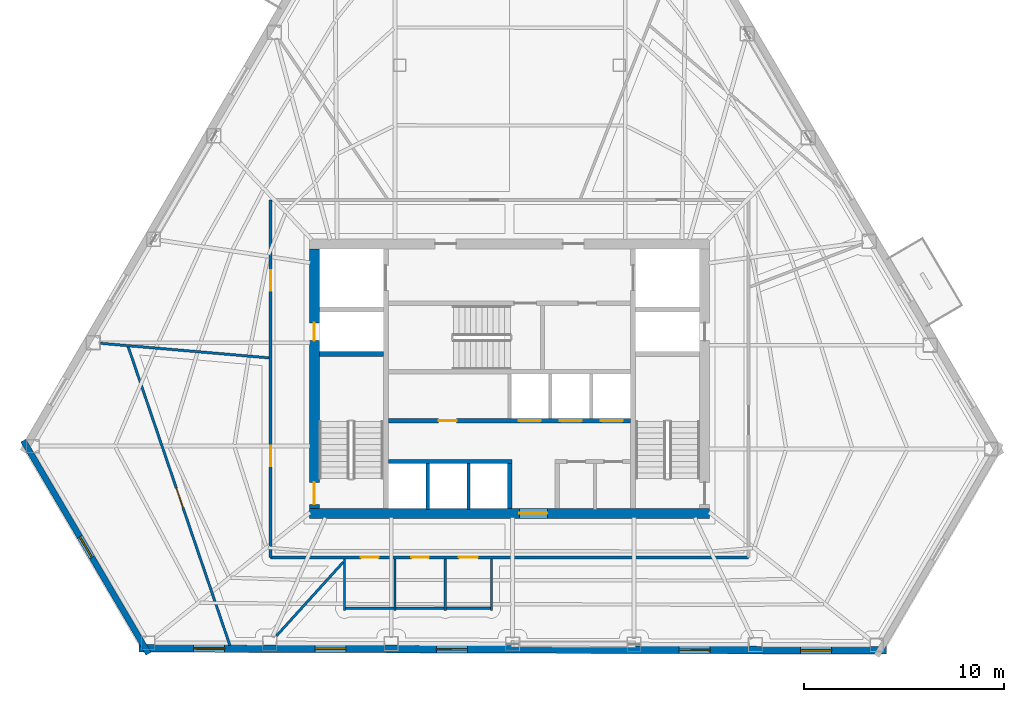
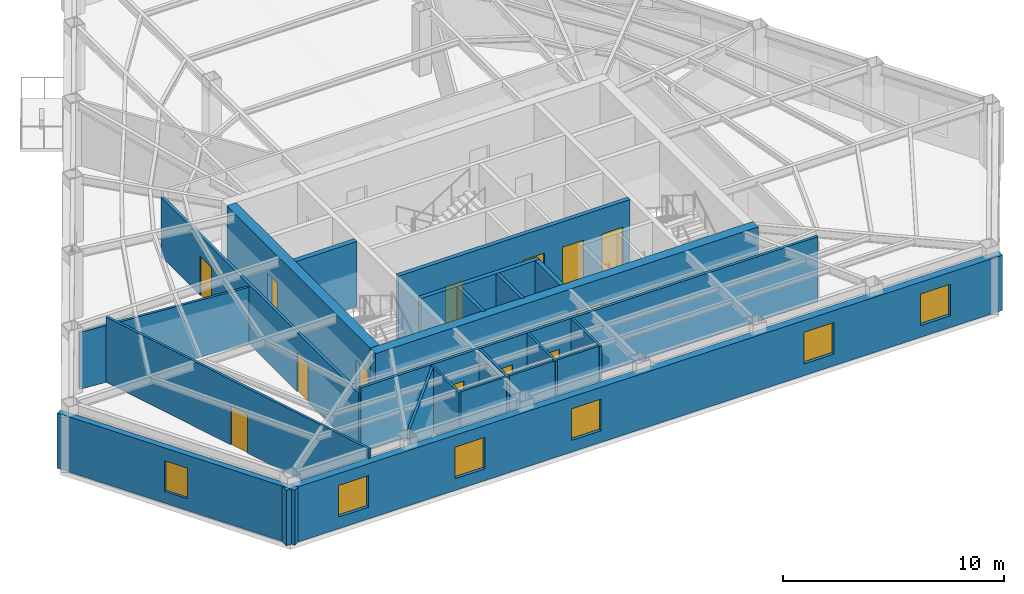
# One storey, part 5 of 11: 20 walls, 13 doors, 6 windows, 19 openings.
"""IFC4 building model written with IfcOpenShell, lengths in metres."""

from ifc_helpers import new_model, si_unit, direction, frame, frame_2d, origin, place, context, subcontext, project, spatial, rectangle, extrude, material, layer, layer_set, type_object, element, fill, save


model = new_model("IFC4")

# Units and contexts
model_context = context("Model", 3, precision=1e-05, world=origin(), true_north=direction((0.0, 1.0)))
body_context = subcontext(model_context, "Body", "Model", "MODEL_VIEW")
ifc_project = project(units=[si_unit("LENGTHUNIT", "METRE"), si_unit("AREAUNIT", "SQUARE_METRE"), si_unit("VOLUMEUNIT", "CUBIC_METRE"), si_unit("PLANEANGLEUNIT", "RADIAN"), si_unit("MASSUNIT", "GRAM", prefix="KILO")], contexts=[model_context])

# Site, building, storey
site_placement = place(None, origin())
site = spatial("IfcSite", under=ifc_project, at=site_placement, CompositionType="ELEMENT")
building_placement = place(site_placement, origin())
building = spatial("IfcBuilding", under=site, at=building_placement, Name="Kavelnor Concourse Tower", CompositionType="ELEMENT")
storey_placement = place(building_placement, frame((0.0, 0.0, 127.85009765625)))
storey = spatial("IfcBuildingStorey", under=building, at=storey_placement, Name="L32", CompositionType="ELEMENT", Elevation=127.85009765625)

# Wall, opening, door
ifc_material_1 = material(Name="Concrete C60/75", Category="concrete")
ifc_layer_1 = layer(ifc_material_1, 0.5, Name="Concrete C60/75")
ifc_layer_set_1 = layer_set([ifc_layer_1], Name="Concrete C60/75")
wall_type_1 = type_object("IfcWallType", Name="WL-CORE-Z2-500", PredefinedType="SOLIDWALL", material=ifc_layer_set_1)
wall_1_placement = place(storey_placement, frame((27.97998046875, 9.35009765625, 0.0), z_axis=(0.0, 0.0, 1.0), x_axis=(1.0, 0.0, 0.0)))
wall_1 = element("IfcWall", 1, at=wall_1_placement, inside=storey, type_object=wall_type_1, Name="L32 Central Core South Shear Wall", PredefinedType="SOLIDWALL", context=body_context, shape_type="SweptSolid", body=[
    extrude(rectangle(XDim=20.0400390625, YDim=0.5, at=frame_2d((10.02001953125, 0.0))), origin(), (0.0, 0.0, 1.0), 3.599853515625),
])
opening_1_placement = place(wall_1_placement, frame((10.52001953125, 0.0, 0.0)))
opening_1 = element("IfcOpeningElement", 2, at=opening_1_placement, cuts=wall_1, Name="Opening SD-140", PredefinedType="OPENING", context=body_context, shape_type="SweptSolid", body=[
    extrude(rectangle(XDim=1.39990234375, YDim=2.199951171875, at=frame_2d((0.699951171875, 1.10009765625))), frame((0.0, 0.260009765625, 0.0), z_axis=(0.0, -1.0, 0.0), x_axis=(1.0, 0.0, 0.0)), (0.0, 0.0, 1.0), 0.52001953125),
])
ifc_material_2 = material(Name="Solid-core hardwood timber", Category="wood")
door_type_1 = type_object("IfcDoorType", Name="DR-SUITE-ENTRY-1400", OperationType="NOTDEFINED", PredefinedType="DOOR", material=ifc_material_2)
door_1_placement = place(opening_1_placement, origin())
door_1 = element("IfcDoor", 3, at=door_1_placement, inside=storey, type_object=door_type_1, Name="L32 Passenger Lift Lobby Entry Door", OperationType="SINGLE_SWING_LEFT", OverallHeight=2.199951171875, OverallWidth=1.39990234375, PredefinedType="DOOR", context=body_context, shape_type="SweptSolid", body=[
    extrude(rectangle(XDim=1.39990234375, YDim=2.199951171875, at=frame_2d((0.699951171875, 1.10009765625))), frame((0.0, 0.02490234375, 0.0), z_axis=(0.0, -1.0, 0.0), x_axis=(1.0, 0.0, 0.0)), (0.0, 0.0, 1.0), 0.050048828125),
])
fill(opening_1, door_1)

# Wall, openings, doors
wall_2_placement = place(storey_placement, frame((28.22998046875, 9.60009765625, 0.0), z_axis=(0.0, 0.0, 1.0), x_axis=(0.0, 1.0, 0.0)))
wall_2 = element("IfcWall", 4, at=wall_2_placement, inside=storey, type_object=wall_type_1, Name="L32 Central Core West Shear Wall", PredefinedType="SOLIDWALL", context=body_context, shape_type="SweptSolid", body=[
    extrude(rectangle(XDim=13.0, YDim=0.5, at=frame_2d((6.5, 0.0))), origin(), (0.0, 0.0, 1.0), 3.599853515625),
])
opening_2_placement = place(wall_2_placement, frame((0.199951171875, 0.0, 0.0)))
opening_2 = element("IfcOpeningElement", 5, at=opening_2_placement, cuts=wall_2, Name="Opening FD-110", PredefinedType="OPENING", context=body_context, shape_type="SweptSolid", body=[
    extrude(rectangle(XDim=1.10009765625, YDim=2.14990234375, at=frame_2d((0.550048828125, 1.074951171875))), frame((0.0, 0.260009765625, 0.0), z_axis=(0.0, -1.0, 0.0), x_axis=(1.0, 0.0, 0.0)), (0.0, 0.0, 1.0), 0.52001953125),
])
opening_3_placement = place(wall_2_placement, frame((8.39990234375, 0.0, 0.0)))
opening_3 = element("IfcOpeningElement", 6, at=opening_3_placement, cuts=wall_2, Name="Opening FD-090", PredefinedType="OPENING", context=body_context, shape_type="SweptSolid", body=[
    extrude(rectangle(XDim=0.89990234375, YDim=2.10009765625, at=frame_2d((0.449951171875, 1.050048828125))), frame((0.0, 0.260009765625, 0.0), z_axis=(0.0, -1.0, 0.0), x_axis=(1.0, 0.0, 0.0)), (0.0, 0.0, 1.0), 0.52001953125),
])
ifc_material_3 = material(Name="Steel Grade 350", Category="steel")
door_type_2 = type_object("IfcDoorType", Name="DR-RISER-FIRE-900", OperationType="NOTDEFINED", PredefinedType="DOOR", material=ifc_material_3)
door_2_placement = place(opening_3_placement, origin())
door_2 = element("IfcDoor", 7, at=door_2_placement, inside=storey, type_object=door_type_2, Name="L32 West Riser Access Door", OperationType="SINGLE_SWING_RIGHT", OverallHeight=2.10009765625, OverallWidth=0.89990234375, PredefinedType="DOOR", context=body_context, shape_type="SweptSolid", body=[
    extrude(rectangle(XDim=0.89990234375, YDim=2.10009765625, at=frame_2d((0.449951171875, 1.050048828125))), frame((0.0, 0.02490234375, 0.0), z_axis=(0.0, -1.0, 0.0), x_axis=(1.0, 0.0, 0.0)), (0.0, 0.0, 1.0), 0.050048828125),
])
fill(opening_3, door_2)
door_type_3 = type_object("IfcDoorType", Name="DR-STAIR-FIRE-1100", OperationType="NOTDEFINED", PredefinedType="DOOR", material=ifc_material_3)
door_3_placement = place(opening_2_placement, origin())
door_3 = element("IfcDoor", 8, at=door_3_placement, inside=storey, type_object=door_type_3, Name="L32 Stair ST1 Fire Door", OperationType="SINGLE_SWING_LEFT", OverallHeight=2.14990234375, OverallWidth=1.10009765625, PredefinedType="DOOR", context=body_context, shape_type="SweptSolid", body=[
    extrude(rectangle(XDim=1.10009765625, YDim=2.14990234375, at=frame_2d((0.550048828125, 1.074951171875))), frame((0.0, 0.02490234375, 0.0), z_axis=(0.0, -1.0, 0.0), x_axis=(1.0, 0.0, 0.0)), (0.0, 0.0, 1.0), 0.050048828125),
])
fill(opening_2, door_3)

# Wall, opening, window
ifc_material_4 = material(Name="Buff ironspot clay face brick masonry", Category="masonry")
ifc_layer_2 = layer(ifc_material_4, 0.300048828125, Name="Buff ironspot clay face brick masonry")
ifc_layer_set_2 = layer_set([ifc_layer_2], Name="Buff ironspot clay face brick masonry")
wall_type_2 = type_object("IfcWallType", Name="WL-EXT-BUFF-BRICK-FOLD-300", PredefinedType="STANDARD", material=ifc_layer_set_2)
wall_3_placement = place(storey_placement, frame((19.9208984375, 2.322265625, 0.0), z_axis=(0.0, 0.0, 1.0), x_axis=(-0.506600522331, 0.86218090374, 0.0)))
wall_3 = element("IfcWall", 9, at=wall_3_placement, inside=storey, type_object=wall_type_2, Name="L32 Exterior Brick Facade Wall E2", PredefinedType="STANDARD", context=body_context, shape_type="SweptSolid", body=[
    extrude(rectangle(XDim=12.384765625, YDim=0.300048828125, at=frame_2d((6.1923828125, 0.0))), origin(), (0.0, 0.0, 1.0), 3.058837890625),
])
opening_4_placement = place(wall_3_placement, frame((5.59228515625, 0.0, 0.64990234375)))
opening_4 = element("IfcOpeningElement", 10, at=opening_4_placement, cuts=wall_3, Name="Opening W-05", PredefinedType="OPENING", context=body_context, shape_type="SweptSolid", body=[
    extrude(rectangle(XDim=1.199951171875, YDim=1.699951171875, at=frame_2d((0.60009765625, 0.85009765625))), frame((0.0, 0.16015625, 0.0), z_axis=(0.0, -1.0, 0.0), x_axis=(1.0, 0.0, 0.0)), (0.0, 0.0, 1.0), 0.320068359375),
])
ifc_material_5 = material(Name="Double low-E argon insulated glazing", Category="glass")
window_type_1 = type_object("IfcWindowType", Name="WIN-FOLD-1200", PartitioningType="SINGLE_PANEL", PredefinedType="WINDOW", material=ifc_material_5)
window_1_placement = place(opening_4_placement, origin())
window_1 = element("IfcWindow", 11, at=window_1_placement, inside=storey, type_object=window_type_1, Name="L32 Chamfer-Fold Facet Window C1", OverallHeight=1.699951171875, OverallWidth=1.199951171875, PartitioningType="SINGLE_PANEL", PredefinedType="WINDOW", context=body_context, shape_type="SweptSolid", body=[
    extrude(rectangle(XDim=1.199951171875, YDim=1.699951171875, at=frame_2d((0.60009765625, 0.85009765625))), frame((0.0, 0.030029296875, 0.0), z_axis=(0.0, -1.0, 0.0), x_axis=(1.0, 0.0, 0.0)), (0.0, 0.0, 1.0), 0.06005859375),
])
fill(opening_4, window_1)

# Wall, openings, windows
ifc_material_6 = material(Name="Red-ochre clay face brick masonry", Category="masonry")
ifc_layer_3 = layer(ifc_material_6, 0.3798828125, Name="Red-ochre clay face brick masonry")
ifc_layer_set_3 = layer_set([ifc_layer_3], Name="Red-ochre clay face brick masonry")
wall_type_3 = type_object("IfcWallType", Name="WL-EXT-RED-BRICK-PIER-380", PredefinedType="STANDARD", material=ifc_layer_set_3)
wall_4_placement = place(storey_placement, frame((56.87158203125, 2.489501953125, 0.0), z_axis=(0.0, 0.0, 1.0), x_axis=(-0.999995712094, 0.002928445665, 0.0)))
wall_4 = element("IfcWall", 12, at=wall_4_placement, inside=storey, type_object=wall_type_3, Name="L32 Exterior Brick Facade Wall E3", PredefinedType="STANDARD", context=body_context, shape_type="SweptSolid", body=[
    extrude(rectangle(XDim=37.4326171875, YDim=0.3798828125, at=frame_2d((18.71630859375, 0.0))), origin(), (0.0, 0.0, 1.0), 3.058837890625),
])
opening_5_placement = place(wall_4_placement, frame((33.143798828125, 0.0, 0.64990234375)))
opening_5 = element("IfcOpeningElement", 13, at=opening_5_placement, cuts=wall_4, Name="Opening W-02", PredefinedType="OPENING", context=body_context, shape_type="SweptSolid", body=[
    extrude(rectangle(XDim=1.550048828125, YDim=1.75, at=frame_2d((0.77490234375, 0.875))), frame((0.0, 0.199951171875, 0.0), z_axis=(0.0, -1.0, 0.0), x_axis=(1.0, 0.0, 0.0)), (0.0, 0.0, 1.0), 0.39990234375),
])
opening_6_placement = place(wall_4_placement, frame((27.063232421875, 0.0, 0.64990234375)))
opening_6 = element("IfcOpeningElement", 14, at=opening_6_placement, cuts=wall_4, Name="Opening W-02", PredefinedType="OPENING", context=body_context, shape_type="SweptSolid", body=[
    extrude(rectangle(XDim=1.550048828125, YDim=1.75, at=frame_2d((0.77490234375, 0.875))), frame((0.0, 0.199951171875, 0.0), z_axis=(0.0, -1.0, 0.0), x_axis=(1.0, 0.0, 0.0)), (0.0, 0.0, 1.0), 0.39990234375),
])
opening_7_placement = place(wall_4_placement, frame((20.98291015625, 0.0, 0.64990234375)))
opening_7 = element("IfcOpeningElement", 15, at=opening_7_placement, cuts=wall_4, Name="Opening W-02", PredefinedType="OPENING", context=body_context, shape_type="SweptSolid", body=[
    extrude(rectangle(XDim=1.550048828125, YDim=1.75, at=frame_2d((0.77490234375, 0.875))), frame((0.0, 0.199951171875, 0.0), z_axis=(0.0, -1.0, 0.0), x_axis=(1.0, 0.0, 0.0)), (0.0, 0.0, 1.0), 0.39990234375),
])
opening_8_placement = place(wall_4_placement, frame((8.822265625, 0.0, 0.64990234375)))
opening_8 = element("IfcOpeningElement", 16, at=opening_8_placement, cuts=wall_4, Name="Opening W-02", PredefinedType="OPENING", context=body_context, shape_type="SweptSolid", body=[
    extrude(rectangle(XDim=1.550048828125, YDim=1.75, at=frame_2d((0.77490234375, 0.875))), frame((0.0, 0.199951171875, 0.0), z_axis=(0.0, -1.0, 0.0), x_axis=(1.0, 0.0, 0.0)), (0.0, 0.0, 1.0), 0.39990234375),
])
opening_9_placement = place(wall_4_placement, frame((2.74169921875, 0.0, 0.64990234375)))
opening_9 = element("IfcOpeningElement", 17, at=opening_9_placement, cuts=wall_4, Name="Opening W-02", PredefinedType="OPENING", context=body_context, shape_type="SweptSolid", body=[
    extrude(rectangle(XDim=1.550048828125, YDim=1.75, at=frame_2d((0.77490234375, 0.875))), frame((0.0, 0.199951171875, 0.0), z_axis=(0.0, -1.0, 0.0), x_axis=(1.0, 0.0, 0.0)), (0.0, 0.0, 1.0), 0.39990234375),
])
window_type_2 = type_object("IfcWindowType", Name="WIN-PIER-Z2-1650", PartitioningType="SINGLE_PANEL", PredefinedType="WINDOW", material=ifc_material_5)
window_2_placement = place(opening_5_placement, origin())
window_2 = element("IfcWindow", 18, at=window_2_placement, inside=storey, type_object=window_type_2, Name="L32 Deep-Set Brick Pier Window F1-B0", OverallHeight=1.75, OverallWidth=1.550048828125, PartitioningType="SINGLE_PANEL", PredefinedType="WINDOW", context=body_context, shape_type="SweptSolid", body=[
    extrude(rectangle(XDim=1.550048828125, YDim=1.75, at=frame_2d((0.77490234375, 0.875))), frame((0.0, 0.030029296875, 0.0), z_axis=(0.0, -1.0, 0.0), x_axis=(1.0, 0.0, 0.0)), (0.0, 0.0, 1.0), 0.06005859375),
])
fill(opening_5, window_2)
window_3_placement = place(opening_6_placement, origin())
window_3 = element("IfcWindow", 19, at=window_3_placement, inside=storey, type_object=window_type_2, Name="L32 Deep-Set Brick Pier Window F1-B1", OverallHeight=1.75, OverallWidth=1.550048828125, PartitioningType="SINGLE_PANEL", PredefinedType="WINDOW", context=body_context, shape_type="SweptSolid", body=[
    extrude(rectangle(XDim=1.550048828125, YDim=1.75, at=frame_2d((0.77490234375, 0.875))), frame((0.0, 0.030029296875, 0.0), z_axis=(0.0, -1.0, 0.0), x_axis=(1.0, 0.0, 0.0)), (0.0, 0.0, 1.0), 0.06005859375),
])
fill(opening_6, window_3)
window_4_placement = place(opening_7_placement, origin())
window_4 = element("IfcWindow", 20, at=window_4_placement, inside=storey, type_object=window_type_2, Name="L32 Deep-Set Brick Pier Window F1-B2", OverallHeight=1.75, OverallWidth=1.550048828125, PartitioningType="SINGLE_PANEL", PredefinedType="WINDOW", context=body_context, shape_type="SweptSolid", body=[
    extrude(rectangle(XDim=1.550048828125, YDim=1.75, at=frame_2d((0.77490234375, 0.875))), frame((0.0, 0.030029296875, 0.0), z_axis=(0.0, -1.0, 0.0), x_axis=(1.0, 0.0, 0.0)), (0.0, 0.0, 1.0), 0.06005859375),
])
fill(opening_7, window_4)
window_5_placement = place(opening_8_placement, origin())
window_5 = element("IfcWindow", 21, at=window_5_placement, inside=storey, type_object=window_type_2, Name="L32 Deep-Set Brick Pier Window F1-B4", OverallHeight=1.75, OverallWidth=1.550048828125, PartitioningType="SINGLE_PANEL", PredefinedType="WINDOW", context=body_context, shape_type="SweptSolid", body=[
    extrude(rectangle(XDim=1.550048828125, YDim=1.75, at=frame_2d((0.77490234375, 0.875))), frame((0.0, 0.030029296875, 0.0), z_axis=(0.0, -1.0, 0.0), x_axis=(1.0, 0.0, 0.0)), (0.0, 0.0, 1.0), 0.06005859375),
])
fill(opening_8, window_5)
window_6_placement = place(opening_9_placement, origin())
window_6 = element("IfcWindow", 22, at=window_6_placement, inside=storey, type_object=window_type_2, Name="L32 Deep-Set Brick Pier Window F1-B5", OverallHeight=1.75, OverallWidth=1.550048828125, PartitioningType="SINGLE_PANEL", PredefinedType="WINDOW", context=body_context, shape_type="SweptSolid", body=[
    extrude(rectangle(XDim=1.550048828125, YDim=1.75, at=frame_2d((0.77490234375, 0.875))), frame((0.0, 0.030029296875, 0.0), z_axis=(0.0, -1.0, 0.0), x_axis=(1.0, 0.0, 0.0)), (0.0, 0.0, 1.0), 0.06005859375),
])
fill(opening_9, window_6)

# Wall, openings, doors
ifc_material_7 = material(Name="Gypsum plasterboard on light-gauge steel studs", Category="steel")
ifc_layer_4 = layer(ifc_material_7, 0.14501953125, Name="Gypsum plasterboard on light-gauge steel studs")
ifc_layer_set_4 = layer_set([ifc_layer_4], Name="Gypsum plasterboard on light-gauge steel studs")
wall_type_4 = type_object("IfcWallType", Name="WL-INT-CORR-145", PredefinedType="PARTITIONING", material=ifc_layer_set_4)
wall_5_placement = place(storey_placement, frame((26.030029296875, 25.050048828125, 0.0), z_axis=(0.0, 0.0, 1.0), x_axis=(0.0, -1.0, 0.0)))
wall_5 = element("IfcWall", 23, at=wall_5_placement, inside=storey, type_object=wall_type_4, Name="L32 Corridor Wall WL-L32-CR-03", PredefinedType="PARTITIONING", context=body_context, shape_type="SweptSolid", body=[
    extrude(rectangle(XDim=17.900146484375, YDim=0.14501953125, at=frame_2d((8.9501953125, 0.0))), origin(), (0.0, 0.0, 1.0), 3.287841796875),
])
opening_10_placement = place(wall_5_placement, frame((3.529541015625, 0.0, 0.0)))
opening_10 = element("IfcOpeningElement", 24, at=opening_10_placement, cuts=wall_5, Name="Opening MD-102", PredefinedType="OPENING", context=body_context, shape_type="SweptSolid", body=[
    extrude(rectangle(XDim=1.02001953125, YDim=2.14990234375, at=frame_2d((0.510009765625, 1.074951171875))), frame((0.0, 0.08251953125, 0.0), z_axis=(0.0, -1.0, 0.0), x_axis=(1.0, 0.0, 0.0)), (0.0, 0.0, 1.0), 0.1650390625),
])
opening_11_placement = place(wall_5_placement, frame((12.30859375, 0.0, 0.0)))
opening_11 = element("IfcOpeningElement", 25, at=opening_11_placement, cuts=wall_5, Name="Opening MD-102", PredefinedType="OPENING", context=body_context, shape_type="SweptSolid", body=[
    extrude(rectangle(XDim=1.02001953125, YDim=2.14990234375, at=frame_2d((0.510009765625, 1.074951171875))), frame((0.0, 0.08251953125, 0.0), z_axis=(0.0, -1.0, 0.0), x_axis=(1.0, 0.0, 0.0)), (0.0, 0.0, 1.0), 0.1650390625),
])
ifc_material_8 = material(Name="Acoustic glazed timber frame", Category="wood")
door_type_4 = type_object("IfcDoorType", Name="DR-MEETING-1020", OperationType="NOTDEFINED", PredefinedType="DOOR", material=ifc_material_8)
door_4_placement = place(opening_10_placement, origin())
door_4 = element("IfcDoor", 26, at=door_4_placement, inside=storey, type_object=door_type_4, Name="L32 Client Boardroom 04 Door", OperationType="SINGLE_SWING_LEFT", OverallHeight=2.14990234375, OverallWidth=1.02001953125, PredefinedType="DOOR", context=body_context, shape_type="SweptSolid", body=[
    extrude(rectangle(XDim=1.02001953125, YDim=2.14990234375, at=frame_2d((0.510009765625, 1.074951171875))), frame((0.0, 0.02490234375, 0.0), z_axis=(0.0, -1.0, 0.0), x_axis=(1.0, 0.0, 0.0)), (0.0, 0.0, 1.0), 0.050048828125),
])
fill(opening_10, door_4)
door_5_placement = place(opening_11_placement, origin())
door_5 = element("IfcDoor", 27, at=door_5_placement, inside=storey, type_object=door_type_4, Name="L32 Client Boardroom 05 Door", OperationType="SINGLE_SWING_RIGHT", OverallHeight=2.14990234375, OverallWidth=1.02001953125, PredefinedType="DOOR", context=body_context, shape_type="SweptSolid", body=[
    extrude(rectangle(XDim=1.02001953125, YDim=2.14990234375, at=frame_2d((0.510009765625, 1.074951171875))), frame((0.0, 0.02490234375, 0.0), z_axis=(0.0, -1.0, 0.0), x_axis=(1.0, 0.0, 0.0)), (0.0, 0.0, 1.0), 0.050048828125),
])
fill(opening_11, door_5)

wall_6_placement = place(storey_placement, frame((26.030029296875, 7.14990234375, 0.0), z_axis=(0.0, 0.0, 1.0), x_axis=(1.0, 0.0, 0.0)))
wall_6 = element("IfcWall", 28, at=wall_6_placement, inside=storey, type_object=wall_type_4, Name="L32 Corridor Wall WL-L32-CR-04", PredefinedType="PARTITIONING", context=body_context, shape_type="SweptSolid", body=[
    extrude(rectangle(XDim=23.93994140625, YDim=0.14501953125, at=frame_2d((11.969970703125, 0.0))), origin(), (0.0, 0.0, 1.0), 3.599853515625),
])
opening_12_placement = place(wall_6_placement, frame((4.530029296875, 0.0, 0.0)))
opening_12 = element("IfcOpeningElement", 29, at=opening_12_placement, cuts=wall_6, Name="Opening WD-088", PredefinedType="OPENING", context=body_context, shape_type="SweptSolid", body=[
    extrude(rectangle(XDim=0.8798828125, YDim=2.10009765625, at=frame_2d((0.43994140625, 1.050048828125))), frame((0.0, 0.08251953125, 0.0), z_axis=(0.0, -1.0, 0.0), x_axis=(1.0, 0.0, 0.0)), (0.0, 0.0, 1.0), 0.1650390625),
])
opening_13_placement = place(wall_6_placement, frame((7.050048828125, 0.0, 0.0)))
opening_13 = element("IfcOpeningElement", 30, at=opening_13_placement, cuts=wall_6, Name="Opening WD-088", PredefinedType="OPENING", context=body_context, shape_type="SweptSolid", body=[
    extrude(rectangle(XDim=0.8798828125, YDim=2.10009765625, at=frame_2d((0.43994140625, 1.050048828125))), frame((0.0, 0.08251953125, 0.0), z_axis=(0.0, -1.0, 0.0), x_axis=(1.0, 0.0, 0.0)), (0.0, 0.0, 1.0), 0.1650390625),
])
opening_14_placement = place(wall_6_placement, frame((9.429931640625, 0.0, 0.0)))
opening_14 = element("IfcOpeningElement", 31, at=opening_14_placement, cuts=wall_6, Name="Opening WD-096", PredefinedType="OPENING", context=body_context, shape_type="SweptSolid", body=[
    extrude(rectangle(XDim=0.9599609375, YDim=2.10009765625, at=frame_2d((0.47998046875, 1.050048828125))), frame((0.0, 0.08251953125, 0.0), z_axis=(0.0, -1.0, 0.0), x_axis=(1.0, 0.0, 0.0)), (0.0, 0.0, 1.0), 0.1650390625),
])
door_type_5 = type_object("IfcDoorType", Name="DR-WC-ACC-960", OperationType="NOTDEFINED", PredefinedType="DOOR", material=ifc_material_2)
door_6_placement = place(opening_14_placement, origin())
door_6 = element("IfcDoor", 32, at=door_6_placement, inside=storey, type_object=door_type_5, Name="L32 Accessible WC Door", OperationType="SINGLE_SWING_LEFT", OverallHeight=2.10009765625, OverallWidth=0.9599609375, PredefinedType="DOOR", context=body_context, shape_type="SweptSolid", body=[
    extrude(rectangle(XDim=0.9599609375, YDim=2.10009765625, at=frame_2d((0.47998046875, 1.050048828125))), frame((0.0, 0.02490234375, 0.0), z_axis=(0.0, -1.0, 0.0), x_axis=(1.0, 0.0, 0.0)), (0.0, 0.0, 1.0), 0.050048828125),
])
fill(opening_14, door_6)
door_type_6 = type_object("IfcDoorType", Name="DR-WC-STD-880", OperationType="NOTDEFINED", PredefinedType="DOOR", material=ifc_material_2)
door_7_placement = place(opening_12_placement, origin())
door_7 = element("IfcDoor", 33, at=door_7_placement, inside=storey, type_object=door_type_6, Name="L32 Male WC Door", OperationType="SINGLE_SWING_LEFT", OverallHeight=2.10009765625, OverallWidth=0.8798828125, PredefinedType="DOOR", context=body_context, shape_type="SweptSolid", body=[
    extrude(rectangle(XDim=0.8798828125, YDim=2.10009765625, at=frame_2d((0.43994140625, 1.050048828125))), frame((0.0, 0.02490234375, 0.0), z_axis=(0.0, -1.0, 0.0), x_axis=(1.0, 0.0, 0.0)), (0.0, 0.0, 1.0), 0.050048828125),
])
fill(opening_12, door_7)
door_8_placement = place(opening_13_placement, origin())
door_8 = element("IfcDoor", 34, at=door_8_placement, inside=storey, type_object=door_type_6, Name="L32 Female WC Door", OperationType="SINGLE_SWING_RIGHT", OverallHeight=2.10009765625, OverallWidth=0.8798828125, PredefinedType="DOOR", context=body_context, shape_type="SweptSolid", body=[
    extrude(rectangle(XDim=0.8798828125, YDim=2.10009765625, at=frame_2d((0.43994140625, 1.050048828125))), frame((0.0, 0.02490234375, 0.0), z_axis=(0.0, -1.0, 0.0), x_axis=(1.0, 0.0, 0.0)), (0.0, 0.0, 1.0), 0.050048828125),
])
fill(opening_13, door_8)

# Walls
ifc_layer_5 = layer(ifc_material_7, 0.1650390625, Name="Gypsum plasterboard on light-gauge steel studs")
ifc_layer_set_5 = layer_set([ifc_layer_5], Name="Gypsum plasterboard on light-gauge steel studs")
wall_type_5 = type_object("IfcWallType", Name="WL-INT-FIRE-165", PredefinedType="PARTITIONING", material=ifc_layer_set_5)
for number, where, z_axis, x_axis, name in (
    (35, (33.89990234375, 9.550048828125, 0.0), (0.0, 0.0, 1.0), (0.0, 1.0, 0.0), "L32 Lift Shaft Divider LP7"),
    (36, (35.949951171875, 9.550048828125, 0.0), (0.0, 0.0, 1.0), (0.0, 1.0, 0.0), "L32 Lift Shaft Divider LP8"),
):
    element("IfcWall", number, at=place(storey_placement, frame(where, z_axis=z_axis, x_axis=x_axis)), inside=storey, type_object=wall_type_5, Name=name, PredefinedType="PARTITIONING", context=body_context, shape_type="SweptSolid", body=[
        extrude(rectangle(XDim=2.2900390625, YDim=0.1650390625, at=frame_2d((1.14501953125, 0.0))), origin(), (0.0, 0.0, 1.0), 3.599853515625),
    ])
ifc_layer_6 = layer(ifc_material_7, 0.125, Name="Gypsum plasterboard on light-gauge steel studs")
ifc_layer_set_6 = layer_set([ifc_layer_6], Name="Gypsum plasterboard on light-gauge steel studs")
wall_type_6 = type_object("IfcWallType", Name="WL-INT-SUITE-125", PredefinedType="PARTITIONING", material=ifc_layer_set_6)
wall_7_placement = place(storey_placement, frame((25.949462890625, 17.141845703125, 0.0), z_axis=(0.0, 0.0, 1.0), x_axis=(-0.996283209421, 0.086138067226, 0.0)))
element("IfcWall", 37, at=wall_7_placement, inside=storey, type_object=wall_type_6, Name="L32 Radial Suite Partition 04", PredefinedType="PARTITIONING", context=body_context, shape_type="SweptSolid", body=[
    extrude(rectangle(XDim=8.466064453125, YDim=0.125, at=frame_2d((4.23291015625, 0.0))), origin(), (0.0, 0.0, 1.0), 3.140869140625),
])
wall_8_placement = place(storey_placement, frame((29.677001953125, 6.91455078125, 0.0), z_axis=(0.0, 0.0, 1.0), x_axis=(-0.671453924144, -0.741046306078, 0.0)))
element("IfcWall", 38, at=wall_8_placement, inside=storey, type_object=wall_type_6, Name="L32 Radial Suite Partition 05", PredefinedType="PARTITIONING", context=body_context, shape_type="SweptSolid", body=[
    extrude(rectangle(XDim=4.988525390625, YDim=0.125, at=frame_2d((2.494140625, 0.0))), origin(), (0.0, 0.0, 1.0), 3.599853515625),
])

# Wall, opening, door
wall_9_placement = place(storey_placement, frame((18.888671875, 17.7373046875, 0.0), z_axis=(0.0, 0.0, 1.0), x_axis=(0.322427692705, -0.946594096209, 0.0)))
wall_9 = element("IfcWall", 39, at=wall_9_placement, inside=storey, type_object=wall_type_6, Name="L32 Suite Subdivision Partition 04", PredefinedType="PARTITIONING", context=body_context, shape_type="SweptSolid", body=[
    extrude(rectangle(XDim=15.84814453125, YDim=0.125, at=frame_2d((7.924072265625, 0.0))), origin(), (0.0, 0.0, 1.0), 3.599853515625),
])
opening_15_placement = place(wall_9_placement, frame((7.527587890625, 0.0, 0.0)))
opening_15 = element("IfcOpeningElement", 40, at=opening_15_placement, cuts=wall_9, Name="Opening MD-102", PredefinedType="OPENING", context=body_context, shape_type="SweptSolid", body=[
    extrude(rectangle(XDim=1.02001953125, YDim=2.14990234375, at=frame_2d((0.510009765625, 1.074951171875))), frame((0.0, 0.072509765625, 0.0), z_axis=(0.0, -1.0, 0.0), x_axis=(1.0, 0.0, 0.0)), (0.0, 0.0, 1.0), 0.14501953125),
])
door_9_placement = place(opening_15_placement, origin())
door_9 = element("IfcDoor", 41, at=door_9_placement, inside=storey, type_object=door_type_4, Name="L32 Client Boardroom 06 Door", OperationType="SINGLE_SWING_LEFT", OverallHeight=2.14990234375, OverallWidth=1.02001953125, PredefinedType="DOOR", context=body_context, shape_type="SweptSolid", body=[
    extrude(rectangle(XDim=1.02001953125, YDim=2.14990234375, at=frame_2d((0.510009765625, 1.074951171875))), frame((0.0, 0.02490234375, 0.0), z_axis=(0.0, -1.0, 0.0), x_axis=(1.0, 0.0, 0.0)), (0.0, 0.0, 1.0), 0.050048828125),
])
fill(opening_15, door_9)

# Walls
ifc_layer_7 = layer(ifc_material_7, 0.110107421875, Name="Gypsum plasterboard on light-gauge steel studs")
ifc_layer_set_7 = layer_set([ifc_layer_7], Name="Gypsum plasterboard on light-gauge steel studs")
wall_type_7 = type_object("IfcWallType", Name="WL-INT-WC-110", PredefinedType="PLUMBINGWALL", material=ifc_layer_set_7)
for number, where, z_axis, x_axis, name in (
    (42, (29.739990234375, 4.5, 0.0), (0.0, 0.0, 1.0), (0.0, 1.0, 0.0), "L32 Sanitary Partition WL-L32-WC-W"),
    (43, (32.260009765625, 4.5, 0.0), (0.0, 0.0, 1.0), (0.0, 1.0, 0.0), "L32 Sanitary Partition WL-L32-WC-D1"),
    (44, (34.780029296875, 4.5, 0.0), (0.0, 0.0, 1.0), (0.0, 1.0, 0.0), "L32 Sanitary Partition WL-L32-WC-D2"),
    (45, (37.10009765625, 4.5, 0.0), (0.0, 0.0, 1.0), (0.0, 1.0, 0.0), "L32 Sanitary Partition WL-L32-WC-E"),
):
    element("IfcWall", number, at=place(storey_placement, frame(where, z_axis=z_axis, x_axis=x_axis)), inside=storey, type_object=wall_type_7, Name=name, PredefinedType="PLUMBINGWALL", context=body_context, shape_type="SweptSolid", body=[
        extrude(rectangle(XDim=2.580078125, YDim=0.110107421875, at=frame_2d((1.2900390625, 0.0))), origin(), (0.0, 0.0, 1.0), 3.599853515625),
    ])
wall_10_placement = place(storey_placement, frame((29.68994140625, 4.60009765625, 0.0), z_axis=(0.0, 0.0, 1.0), x_axis=(1.0, 0.0, 0.0)))
element("IfcWall", 46, at=wall_10_placement, inside=storey, type_object=wall_type_7, Name="L32 Sanitary Partition WL-L32-WC-S", PredefinedType="PLUMBINGWALL", context=body_context, shape_type="SweptSolid", body=[
    extrude(rectangle(XDim=7.4599609375, YDim=0.110107421875, at=frame_2d((3.72998046875, 0.0))), origin(), (0.0, 0.0, 1.0), 3.599853515625),
])

# Wall, openings, doors
ifc_material_9 = material(Name="Concrete C50/60", Category="concrete")
ifc_layer_8 = layer(ifc_material_9, 0.219970703125, Name="Concrete C50/60")
ifc_layer_set_8 = layer_set([ifc_layer_8], Name="Concrete C50/60")
wall_type_8 = type_object("IfcWallType", Name="WL-SHAFT-220", PredefinedType="SOLIDWALL", material=ifc_layer_set_8)
wall_11_placement = place(storey_placement, frame((31.93994140625, 13.989990234375, 0.0), z_axis=(0.0, 0.0, 1.0), x_axis=(1.0, 0.0, 0.0)))
wall_11 = element("IfcWall", 47, at=wall_11_placement, inside=storey, type_object=wall_type_8, Name="L32 North Lift Row Shaft Wall", PredefinedType="SOLIDWALL", context=body_context, shape_type="SweptSolid", body=[
    extrude(rectangle(XDim=12.1201171875, YDim=0.219970703125, at=frame_2d((6.06005859375, 0.0))), origin(), (0.0, 0.0, 1.0), 3.599853515625),
])
opening_16_placement = place(wall_11_placement, frame((2.510009765625, 0.0, 0.0)))
opening_16 = element("IfcOpeningElement", 48, at=opening_16_placement, cuts=wall_11, Name="Opening FD-090", PredefinedType="OPENING", context=body_context, shape_type="SweptSolid", body=[
    extrude(rectangle(XDim=0.89990234375, YDim=2.10009765625, at=frame_2d((0.449951171875, 1.050048828125))), frame((0.0, 0.1201171875, 0.0), z_axis=(0.0, -1.0, 0.0), x_axis=(1.0, 0.0, 0.0)), (0.0, 0.0, 1.0), 0.239990234375),
])
opening_17_placement = place(wall_11_placement, frame((6.534912109375, 0.0, 0.0)))
opening_17 = element("IfcOpeningElement", 49, at=opening_17_placement, cuts=wall_11, Name="Opening LD-110", PredefinedType="OPENING", context=body_context, shape_type="SweptSolid", body=[
    extrude(rectangle(XDim=1.10009765625, YDim=2.199951171875, at=frame_2d((0.550048828125, 1.10009765625))), frame((0.0, 0.1201171875, 0.0), z_axis=(0.0, -1.0, 0.0), x_axis=(1.0, 0.0, 0.0)), (0.0, 0.0, 1.0), 0.239990234375),
])
opening_18_placement = place(wall_11_placement, frame((8.5849609375, 0.0, 0.0)))
opening_18 = element("IfcOpeningElement", 50, at=opening_18_placement, cuts=wall_11, Name="Opening LD-110", PredefinedType="OPENING", context=body_context, shape_type="SweptSolid", body=[
    extrude(rectangle(XDim=1.10009765625, YDim=2.199951171875, at=frame_2d((0.550048828125, 1.10009765625))), frame((0.0, 0.1201171875, 0.0), z_axis=(0.0, -1.0, 0.0), x_axis=(1.0, 0.0, 0.0)), (0.0, 0.0, 1.0), 0.239990234375),
])
opening_19_placement = place(wall_11_placement, frame((10.635009765625, 0.0, 0.0)))
opening_19 = element("IfcOpeningElement", 51, at=opening_19_placement, cuts=wall_11, Name="Opening LD-110", PredefinedType="OPENING", context=body_context, shape_type="SweptSolid", body=[
    extrude(rectangle(XDim=1.10009765625, YDim=2.199951171875, at=frame_2d((0.550048828125, 1.10009765625))), frame((0.0, 0.1201171875, 0.0), z_axis=(0.0, -1.0, 0.0), x_axis=(1.0, 0.0, 0.0)), (0.0, 0.0, 1.0), 0.239990234375),
])
door_type_7 = type_object("IfcDoorType", Name="DR-LIFT-SLIDING-1100", OperationType="NOTDEFINED", PredefinedType="DOOR", material=ifc_material_3)
door_10_placement = place(opening_17_placement, origin())
door_10 = element("IfcDoor", 52, at=door_10_placement, inside=storey, type_object=door_type_7, Name="L32 Lift LP4 Landing Door", OperationType="DOUBLE_DOOR_SLIDING", OverallHeight=2.199951171875, OverallWidth=1.10009765625, PredefinedType="DOOR", context=body_context, shape_type="SweptSolid", body=[
    extrude(rectangle(XDim=1.10009765625, YDim=2.199951171875, at=frame_2d((0.550048828125, 1.10009765625))), frame((0.0, 0.02490234375, 0.0), z_axis=(0.0, -1.0, 0.0), x_axis=(1.0, 0.0, 0.0)), (0.0, 0.0, 1.0), 0.050048828125),
])
fill(opening_17, door_10)
door_11_placement = place(opening_18_placement, origin())
door_11 = element("IfcDoor", 53, at=door_11_placement, inside=storey, type_object=door_type_7, Name="L32 Lift LP5 Landing Door", OperationType="DOUBLE_DOOR_SLIDING", OverallHeight=2.199951171875, OverallWidth=1.10009765625, PredefinedType="DOOR", context=body_context, shape_type="SweptSolid", body=[
    extrude(rectangle(XDim=1.10009765625, YDim=2.199951171875, at=frame_2d((0.550048828125, 1.10009765625))), frame((0.0, 0.02490234375, 0.0), z_axis=(0.0, -1.0, 0.0), x_axis=(1.0, 0.0, 0.0)), (0.0, 0.0, 1.0), 0.050048828125),
])
fill(opening_18, door_11)
door_12_placement = place(opening_19_placement, origin())
door_12 = element("IfcDoor", 54, at=door_12_placement, inside=storey, type_object=door_type_7, Name="L32 Lift LP6 Landing Door", OperationType="DOUBLE_DOOR_SLIDING", OverallHeight=2.199951171875, OverallWidth=1.10009765625, PredefinedType="DOOR", context=body_context, shape_type="SweptSolid", body=[
    extrude(rectangle(XDim=1.10009765625, YDim=2.199951171875, at=frame_2d((0.550048828125, 1.10009765625))), frame((0.0, 0.02490234375, 0.0), z_axis=(0.0, -1.0, 0.0), x_axis=(1.0, 0.0, 0.0)), (0.0, 0.0, 1.0), 0.050048828125),
])
fill(opening_19, door_12)
door_13_placement = place(opening_16_placement, origin())
door_13 = element("IfcDoor", 55, at=door_13_placement, inside=storey, type_object=door_type_2, Name="L32 Core IT Room Door", OperationType="SINGLE_SWING_LEFT", OverallHeight=2.10009765625, OverallWidth=0.89990234375, PredefinedType="DOOR", context=body_context, shape_type="SweptSolid", body=[
    extrude(rectangle(XDim=0.89990234375, YDim=2.10009765625, at=frame_2d((0.449951171875, 1.050048828125))), frame((0.0, 0.02490234375, 0.0), z_axis=(0.0, -1.0, 0.0), x_axis=(1.0, 0.0, 0.0)), (0.0, 0.0, 1.0), 0.050048828125),
])
fill(opening_16, door_13)

# Walls
wall_12_placement = place(storey_placement, frame((31.93994140625, 11.949951171875, 0.0), z_axis=(0.0, 0.0, 1.0), x_axis=(1.0, 0.0, 0.0)))
element("IfcWall", 56, at=wall_12_placement, inside=storey, type_object=wall_type_8, Name="L32 High-Rise Lift Bank North Wall", PredefinedType="SOLIDWALL", context=body_context, shape_type="SweptSolid", body=[
    extrude(rectangle(XDim=6.18994140625, YDim=0.219970703125, at=frame_2d((3.094970703125, 0.0))), origin(), (0.0, 0.0, 1.0), 3.599853515625),
])
wall_13_placement = place(storey_placement, frame((38.02001953125, 9.60009765625, 0.0), z_axis=(0.0, 0.0, 1.0), x_axis=(0.0, 1.0, 0.0)))
element("IfcWall", 57, at=wall_13_placement, inside=storey, type_object=wall_type_8, Name="L32 Lift Lobby Throat West Wall", PredefinedType="SOLIDWALL", context=body_context, shape_type="SweptSolid", body=[
    extrude(rectangle(XDim=2.239990234375, YDim=0.219970703125, at=frame_2d((1.1201171875, 0.0))), origin(), (0.0, 0.0, 1.0), 3.599853515625),
])
ifc_layer_9 = layer(ifc_material_9, 0.260009765625, Name="Concrete C50/60")
ifc_layer_set_9 = layer_set([ifc_layer_9], Name="Concrete C50/60")
wall_type_9 = type_object("IfcWallType", Name="WL-SHAFT-260", PredefinedType="SHEAR", material=ifc_layer_set_9)
wall_14_placement = place(storey_placement, frame((28.47998046875, 17.330078125, 0.0), z_axis=(0.0, 0.0, 1.0), x_axis=(1.0, 0.0, 0.0)))
element("IfcWall", 58, at=wall_14_placement, inside=storey, type_object=wall_type_9, Name="L32 Stair ST1 North Shaft Wall", PredefinedType="SHEAR", context=body_context, shape_type="SweptSolid", body=[
    extrude(rectangle(XDim=3.199951171875, YDim=0.260009765625, at=frame_2d((1.60009765625, 0.0))), origin(), (0.0, 0.0, 1.0), 3.599853515625),
])

save(model, "model.ifc")
